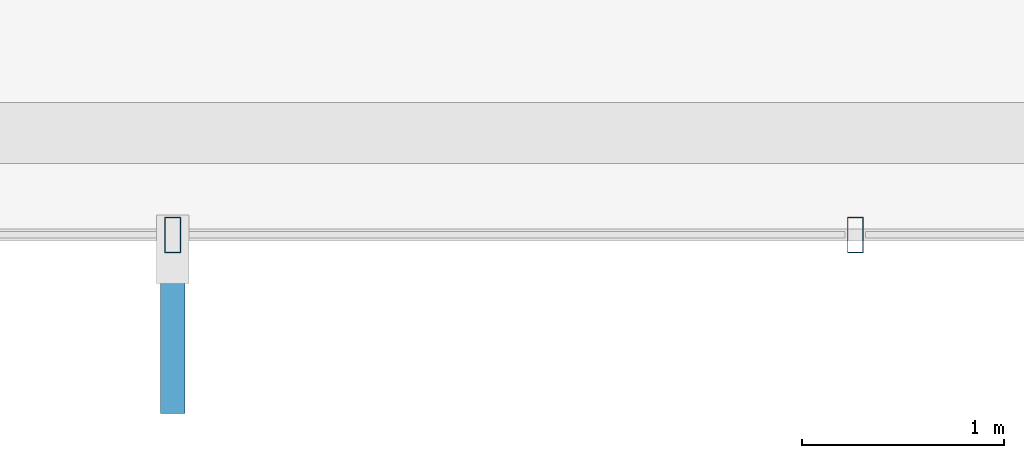
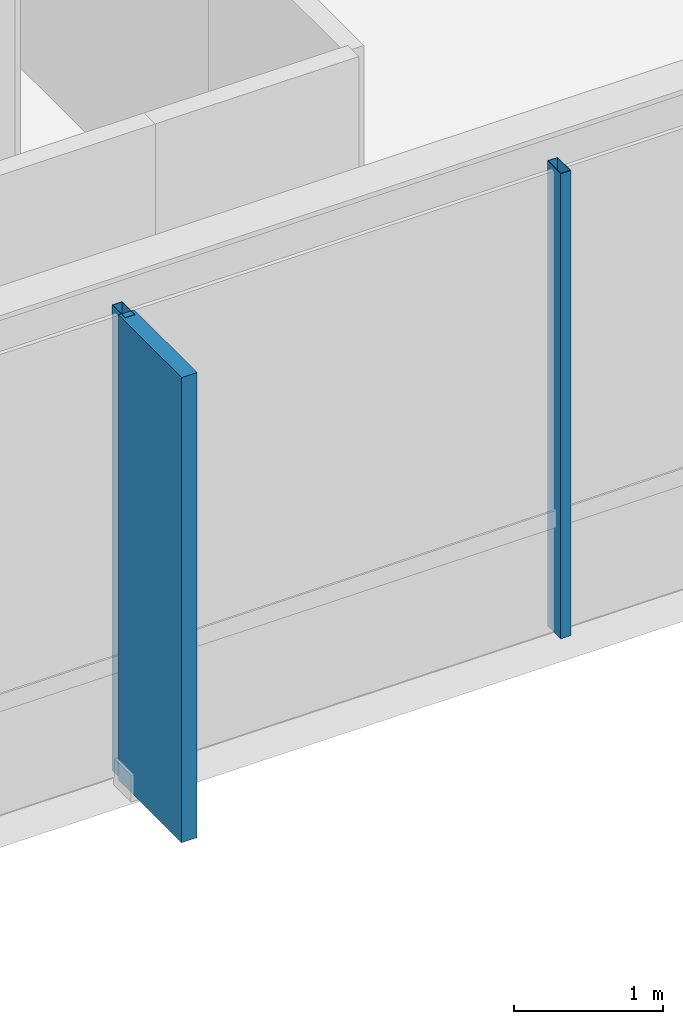
# One storey, part 10 of 27: 3 members, 1 element without a shape of its own.
"""IFC4 building model written with IfcOpenShell, lengths in metres."""

from ifc_helpers import new_model, si_unit, direction, frame, origin, origin_2d, place, context, subcontext, project, spatial, rectangle, hollow_rectangle, extrude, material, layer, layer_set, material_profile, profile_set, type_object, element, aggregate, save


model = new_model("IFC4")

# Units and contexts
model_context = context("Model", 3, precision=1e-05, world=origin(), true_north=direction((0.0, 1.0)))
body_context = subcontext(model_context, "Body", "Model", "MODEL_VIEW")
ifc_project = project(units=[si_unit("LENGTHUNIT", "METRE"), si_unit("AREAUNIT", "SQUARE_METRE"), si_unit("VOLUMEUNIT", "CUBIC_METRE"), si_unit("PLANEANGLEUNIT", "RADIAN"), si_unit("MASSUNIT", "GRAM", prefix="KILO")], contexts=[model_context])

# Site, building, storey
site_placement = place(None, origin())
site = spatial("IfcSite", under=ifc_project, at=site_placement, CompositionType="ELEMENT")
building_placement = place(site_placement, origin())
building = spatial("IfcBuilding", under=site, at=building_placement, Name="Zarrinselat Tower", CompositionType="ELEMENT")
storey_placement = place(building_placement, frame((0.0, 0.0, 80.580078125)))
storey = spatial("IfcBuildingStorey", under=building, at=storey_placement, Name="L19", CompositionType="ELEMENT", Elevation=80.580078125)

# Curtain wall, members
ifc_material_1 = material(Name="Extruded Aluminium Alloy EN AW-6063 T6", Category="aluminium")
ifc_layer = layer(ifc_material_1, 0.18505859375)
ifc_layer_set = layer_set([ifc_layer], Name="Extruded Aluminium Alloy EN AW-6063 T6")
curtain_wall_type = type_object("IfcCurtainWallType", Name="CWS-OFF", PredefinedType="NOTDEFINED", material=ifc_layer_set)
curtain_wall_placement = place(storey_placement, origin())
curtain_wall = element("IfcCurtainWall", 1, at=curtain_wall_placement, inside=storey, type_object=curtain_wall_type, Name="L19 Unitised Curtain Wall CW-L19-E04", PredefinedType="NOTDEFINED")
ifc_material_2 = material(Name="Extruded Aluminium Alloy EN AW-6063 T6", Category="aluminium")
ifc_material_profile_1 = material_profile(ifc_material_2, hollow_rectangle(XDim=0.080078125, YDim=0.179931640625, WallThickness=0.0048828125, at=origin_2d()), Name="RHS 180x80x5")
ifc_profile_set_1 = profile_set([ifc_material_profile_1], Name="Extruded Aluminium Alloy EN AW-6063 T6")
member_type_1 = type_object("IfcMemberType", Name="MEM-CW-MUL", PredefinedType="MULLION", material=ifc_profile_set_1)
member_1_placement = place(storey_placement, frame((41.78173828125, 18.60498046875, 0.0), z_axis=(0.0, 0.0, 1.0), x_axis=(1.0, 0.0, 0.0)))
member_1 = element("IfcMember", 2, at=member_1_placement, type_object=member_type_1, Name="CW-L19-E04 Mullion 5", PredefinedType="MULLION", context=body_context, shape_type="SweptSolid", body=[
    extrude(hollow_rectangle(XDim=0.080078125, YDim=0.179931640625, WallThickness=0.0048828125, at=origin_2d()), origin(), (0.0, 0.0, 1.0), 3.81982421875),
])
member_2_placement = place(storey_placement, frame((45.16357421875, 18.60498046875, 0.0), z_axis=(0.0, 0.0, 1.0), x_axis=(1.0, 0.0, 0.0)))
member_2 = element("IfcMember", 3, at=member_2_placement, type_object=member_type_1, Name="CW-L19-E04 Mullion 6", PredefinedType="MULLION", context=body_context, shape_type="SweptSolid", body=[
    extrude(hollow_rectangle(XDim=0.080078125, YDim=0.179931640625, WallThickness=0.0048828125, at=origin_2d()), origin(), (0.0, 0.0, 1.0), 3.81982421875),
])
ifc_material_3 = material(Name="Honed Cream Travertine Stone", Category="masonry")
ifc_material_profile_2 = material_profile(ifc_material_3, rectangle(XDim=0.1201171875, YDim=0.85009765625, at=origin_2d()), Name="FIN 850x120")
ifc_profile_set_2 = profile_set([ifc_material_profile_2], Name="Honed Cream Travertine Stone")
member_type_2 = type_object("IfcMemberType", Name="MEM-STONE-FIN", PredefinedType="USERDEFINED", material=ifc_profile_set_2)
member_3_placement = place(storey_placement, frame((41.78173828125, 18.14501953125, 0.0), z_axis=(0.0, 0.0, 1.0), x_axis=(-1.0, 0.0, 0.0)))
member_3 = element("IfcMember", 4, at=member_3_placement, type_object=member_type_2, Name="L19 Stone Shading Fin CW-L19-E04-05", ObjectType="FIN", PredefinedType="USERDEFINED", context=body_context, shape_type="SweptSolid", body=[
    extrude(rectangle(XDim=0.1201171875, YDim=0.85009765625, at=origin_2d()), origin(), (0.0, 0.0, 1.0), 3.81982421875),
])
aggregate(curtain_wall, [member_1, member_3, member_2])

save(model, "model.ifc")
